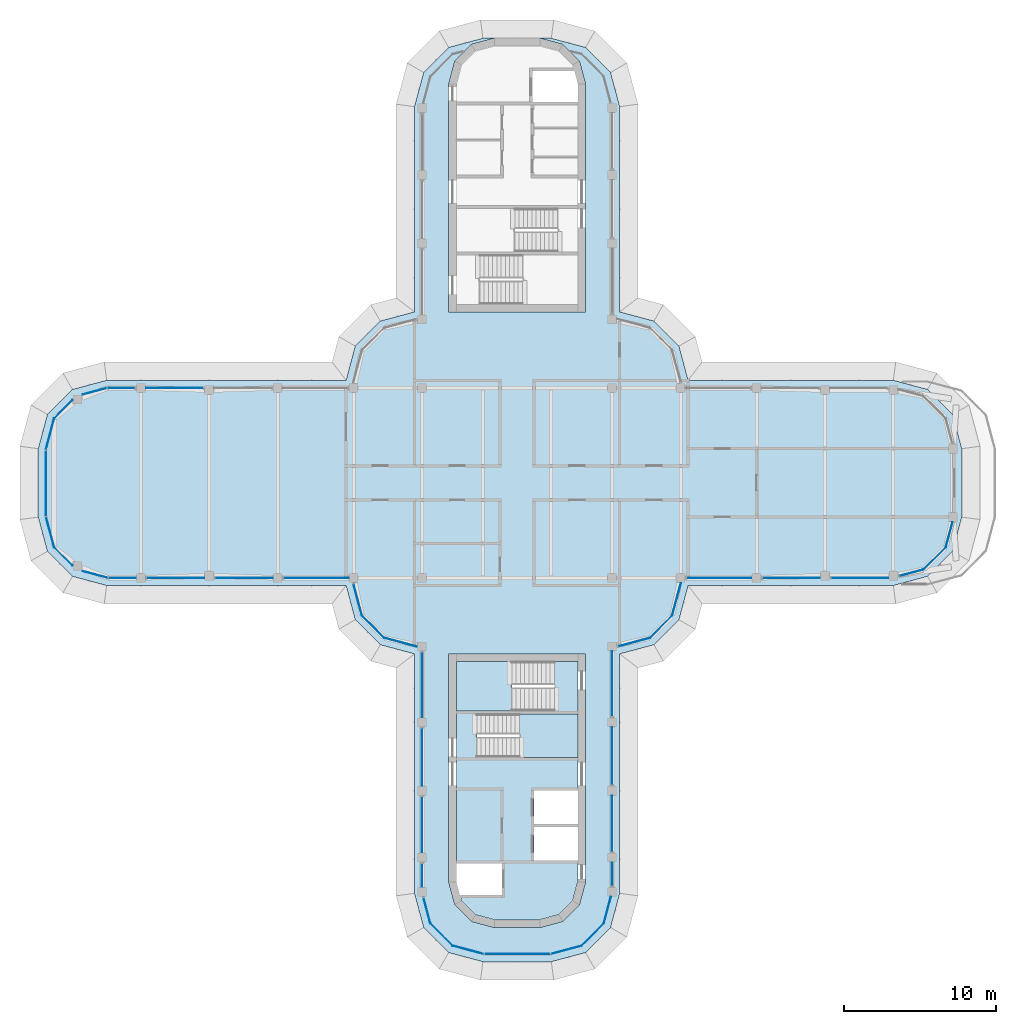
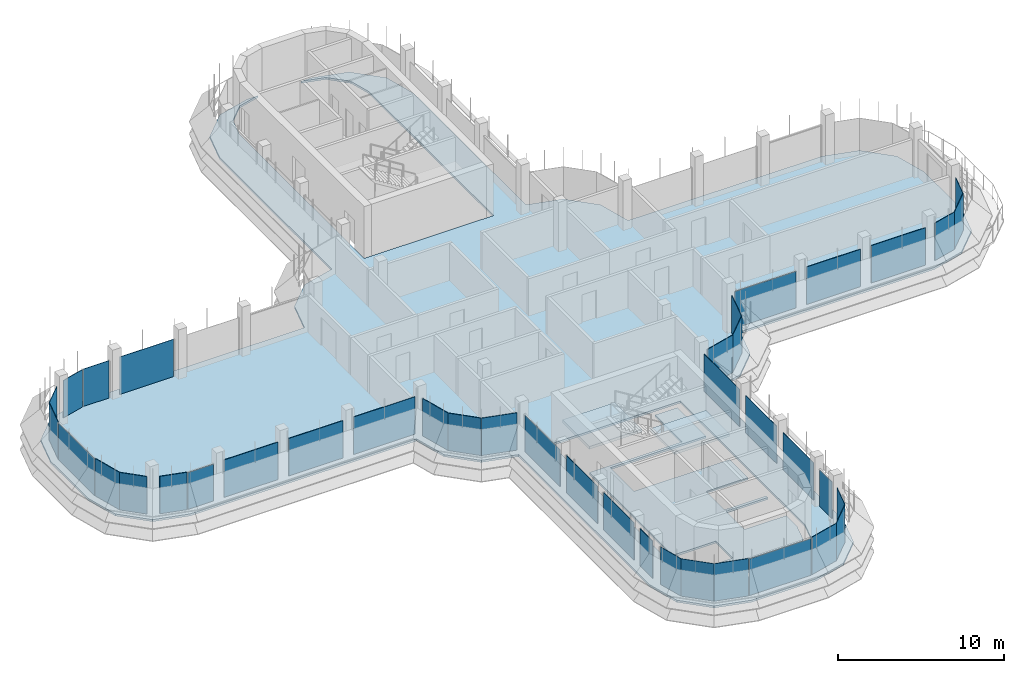
# One storey, part 11 of 20: 40 plates, 4 slabs, 30 elements without a shape of their own.
"""IFC4 building model written with IfcOpenShell, lengths in metres."""

import ifcopenshell
import ifcopenshell.guid

model = None  # the IFC model being written
_history = None  # IfcOwnerHistory: only IFC2X3 demands one
_inside = {}  # id of a spatial element -> (the spatial element, [elements in it])
_under = {}  # id of a project, library or spatial element -> (it, [spatial elements below it])
_declared = {}  # id of a project -> (the project, [libraries it declares])
_typed = {}  # id of a type object -> (the type object, [elements of that type])
_made_of = {}  # id of a material, layer set ... -> (it, [elements and type objects made of it])


def new_model(schema):
    """Start an empty IFC model of exactly this schema.

    Asked for "IFC4X3", IfcOpenShell would pick the latest addendum, in which some entities
    have other attributes; the version numbers below select the first issue.
    IFC2X3 requires an IfcOwnerHistory on every rooted entity: one is made here for all.
    """
    global model, _history
    if schema == "IFC4X3":
        model = ifcopenshell.file(schema_version=(4, 3, 0, 0))
    else:
        model = ifcopenshell.file(schema=schema)
    _inside.clear()
    _under.clear()
    _declared.clear()
    _typed.clear()
    _made_of.clear()
    _history = None
    if model.schema == "IFC2X3":
        org = make("IfcOrganization", Name="unknown")
        user = make(
            "IfcPersonAndOrganization",
            ThePerson=make("IfcPerson", FamilyName="unknown"),
            TheOrganization=org,
        )
        app = make(
            "IfcApplication",
            ApplicationDeveloper=org,
            Version="unknown",
            ApplicationFullName="unknown",
            ApplicationIdentifier="unknown",
        )
        _history = make(
            "IfcOwnerHistory",
            OwningUser=user,
            OwningApplication=app,
            ChangeAction="ADDED",
            CreationDate=0,
        )
    return model


def make(cls, **values):
    """One entity of the class cls with the attributes given. An attribute that is None is left unset."""
    return model.create_entity(
        cls, **{name: value for name, value in values.items() if value is not None}
    )


def rooted(cls, **values):
    """An entity with a GlobalId (a new one), such as an element, a storey or a relation."""
    return make(cls, GlobalId=ifcopenshell.guid.new(), OwnerHistory=_history, **values)


def si_unit(unit_type, name, prefix=None):
    """IfcSIUnit, for example si_unit("LENGTHUNIT", "METRE", prefix="MILLI")."""
    return make("IfcSIUnit", UnitType=unit_type, Prefix=prefix, Name=name)


def assignment(units):
    """IfcUnitAssignment: the units of a project."""
    return None if units is None else make("IfcUnitAssignment", Units=units)


def point(xyz):
    """IfcCartesianPoint."""
    return None if xyz is None else make("IfcCartesianPoint", Coordinates=xyz)


def direction(xyz):
    """IfcDirection."""
    return None if xyz is None else make("IfcDirection", DirectionRatios=xyz)


def frame(location, z_axis=None, x_axis=None):
    """IfcAxis2Placement3D, a coordinate frame: its origin and axes. An axis left out is left unset."""
    return make(
        "IfcAxis2Placement3D",
        Location=point(location),
        Axis=direction(z_axis),
        RefDirection=direction(x_axis),
    )


def origin():
    """The frame at (0, 0, 0) with its axes left unset."""
    return frame((0.0, 0.0, 0.0))


def place(relative_to, where):
    """IfcLocalPlacement: puts the frame where relative to a parent placement (None: the world)."""
    return make(
        "IfcLocalPlacement", PlacementRelTo=relative_to, RelativePlacement=where
    )


def context(
    kind, dimensions, precision=None, world=None, true_north=None, identifier=None
):
    """IfcGeometricRepresentationContext, for example the 3D "Model" context."""
    return make(
        "IfcGeometricRepresentationContext",
        ContextIdentifier=identifier,
        ContextType=kind,
        CoordinateSpaceDimension=dimensions,
        Precision=precision,
        WorldCoordinateSystem=world,
        TrueNorth=true_north,
    )


def subcontext(parent, identifier, kind, view, scale=None):
    """IfcGeometricRepresentationSubContext, for example "Body" below "Model"."""
    return make(
        "IfcGeometricRepresentationSubContext",
        ContextIdentifier=identifier,
        ContextType=kind,
        ParentContext=parent,
        TargetScale=scale,
        TargetView=view,
    )


def project(units=None, contexts=None):
    """IfcProject with its units and contexts."""
    return rooted(
        "IfcProject",
        Name="project",
        RepresentationContexts=contexts,
        UnitsInContext=assignment(units),
    )


def spatial(cls, under=None, at=None, **own):
    """A site, building, storey or space (cls), placed at a placement, below another one or the project."""
    s = rooted(cls, ObjectPlacement=at, **own)
    if under is not None:
        _under.setdefault(under.id(), (under, []))[1].append(s)
    return s


def polyline(points):
    """IfcPolyline through the points."""
    return make("IfcPolyline", Points=[point(p) for p in points])


def outline(outer, holes=None, kind="AREA"):
    """IfcArbitraryClosedProfileDef: a profile drawn as a closed curve; with holes, ...WithVoids."""
    if holes is None:
        return make("IfcArbitraryClosedProfileDef", ProfileType=kind, OuterCurve=outer)
    return make(
        "IfcArbitraryProfileDefWithVoids",
        ProfileType=kind,
        OuterCurve=outer,
        InnerCurves=holes,
    )


def extrude(swept, where, along, depth):
    """IfcExtrudedAreaSolid: the profile swept, set in the frame where, extruded along a direction by depth."""
    return make(
        "IfcExtrudedAreaSolid",
        SweptArea=swept,
        Position=where,
        ExtrudedDirection=direction(along),
        Depth=depth,
    )


def shape(context_of_items, identifier, shape_type, items):
    """IfcShapeRepresentation: the items that make up one representation, for example the "Body"."""
    return make(
        "IfcShapeRepresentation",
        ContextOfItems=context_of_items,
        RepresentationIdentifier=identifier,
        RepresentationType=shape_type,
        Items=items,
    )


def source(mapping_origin, context_of_items, identifier, shape_type, items):
    """IfcRepresentationMap: a shape defined once, which mapped items show again and again."""
    return make(
        "IfcRepresentationMap",
        MappingOrigin=mapping_origin,
        MappedRepresentation=shape(context_of_items, identifier, shape_type, items),
    )


def transform(
    local_origin,
    x_axis=None,
    y_axis=None,
    z_axis=None,
    scale=None,
    scale2=None,
    scale3=None,
    uniform=True,
):
    """IfcCartesianTransformationOperator3D, or its non-uniform kind. x_axis, y_axis, z_axis: its Axis1, 2, 3."""
    if uniform:
        return make(
            "IfcCartesianTransformationOperator3D",
            Axis1=direction(x_axis),
            Axis2=direction(y_axis),
            LocalOrigin=point(local_origin),
            Scale=scale,
            Axis3=direction(z_axis),
        )
    return make(
        "IfcCartesianTransformationOperator3DnonUniform",
        Axis1=direction(x_axis),
        Axis2=direction(y_axis),
        LocalOrigin=point(local_origin),
        Scale=scale,
        Axis3=direction(z_axis),
        Scale2=scale2,
        Scale3=scale3,
    )


def mapped(mapping_source, mapping_target):
    """IfcMappedItem: shows the shape of a source again, moved by a transform."""
    return make(
        "IfcMappedItem", MappingSource=mapping_source, MappingTarget=mapping_target
    )


def material(Name=None, Category=None):
    """IfcMaterial."""
    return make("IfcMaterial", Name=Name, Category=Category)


def layer(
    of_material, thickness, ventilated=None, Name=None, Category=None, Priority=None
):
    """IfcMaterialLayer: one layer of a wall or slab, of a material (None: an air gap)."""
    return make(
        "IfcMaterialLayer",
        Material=of_material,
        LayerThickness=thickness,
        IsVentilated=ventilated,
        Name=Name,
        Category=Category,
        Priority=Priority,
    )


def layer_set(layers, Name=None):
    """IfcMaterialLayerSet."""
    return make("IfcMaterialLayerSet", MaterialLayers=layers, LayerSetName=Name)


def made_of(thing, what):
    """Note that an element or type object is made of a material, layer set ...; save() writes the relation."""
    if what is not None:
        _made_of.setdefault(what.id(), (what, []))[1].append(thing)
    return thing


def type_object(cls, material=None, **own):
    """A type object (cls), such as IfcWallType, which elements share."""
    return made_of(rooted(cls, **own), material)


def element(
    cls,
    number,
    at=None,
    inside=None,
    cuts=None,
    type_object=None,
    material=None,
    context=None,
    identifier="Body",
    shape_type=None,
    held_by="IfcProductDefinitionShape",
    body=None,
    shapes=None,
    **own,
):
    """One element of the class cls, such as IfcWall. Its Tag is "e" and its number.

    at: its placement. inside: the storey or other place that contains it. cuts: it is an
    opening in that element (IfcRelVoidsElement). A single representation is given by context,
    identifier, shape_type and body (its items); several are given by shapes. held_by: the class
    of the entity that holds the representations. save() writes the other relations.
    """
    e = rooted(cls, Tag="e%d" % number, ObjectPlacement=at, **own)
    if body is not None:
        shapes = [shape(context, identifier, shape_type, body)]
    if shapes is not None:
        e.Representation = make(held_by, Representations=shapes)
    if inside is not None:
        _inside.setdefault(inside.id(), (inside, []))[1].append(e)
    if cuts is not None:
        rooted(
            "IfcRelVoidsElement", RelatingBuildingElement=cuts, RelatedOpeningElement=e
        )
    if type_object is not None:
        _typed.setdefault(type_object.id(), (type_object, []))[1].append(e)
    return made_of(e, material)


def aggregate(whole, parts):
    """IfcRelAggregates: a whole, such as a stair, and the parts it consists of."""
    return rooted("IfcRelAggregates", RelatingObject=whole, RelatedObjects=parts)


def save(model, path):
    """Write the relations noted so far, then the file.

    IfcRelAggregates (storeys below a building ...), IfcRelContainedInSpatialStructure (elements
    in a storey), IfcRelDefinesByType, IfcRelAssociatesMaterial and IfcRelDeclares: one each for
    every whole, place, type object, material and project.
    """
    for whole, parts in _under.values():
        aggregate(whole, parts)
    for where, things in _inside.values():
        rooted(
            "IfcRelContainedInSpatialStructure",
            RelatedElements=things,
            RelatingStructure=where,
        )
    for kind, things in _typed.values():
        rooted("IfcRelDefinesByType", RelatedObjects=things, RelatingType=kind)
    for what, things in _made_of.values():
        rooted("IfcRelAssociatesMaterial", RelatedObjects=things, RelatingMaterial=what)
    for by, libraries in _declared.values():
        rooted("IfcRelDeclares", RelatingContext=by, RelatedDefinitions=libraries)
    model.write(path)


model = new_model("IFC4")

# Units and contexts
model_context = context("Model", 3, precision=1e-05, world=origin(), true_north=direction((0.0, 1.0)))
body_context = subcontext(model_context, "Body", "Model", "MODEL_VIEW")
ifc_project = project(units=[si_unit("LENGTHUNIT", "METRE"), si_unit("AREAUNIT", "SQUARE_METRE"), si_unit("VOLUMEUNIT", "CUBIC_METRE"), si_unit("PLANEANGLEUNIT", "RADIAN"), si_unit("MASSUNIT", "GRAM", prefix="KILO")], contexts=[model_context])

# Site, building, storey
site_placement = place(None, origin())
site = spatial("IfcSite", under=ifc_project, at=site_placement, CompositionType="ELEMENT")
building_placement = place(site_placement, origin())
building = spatial("IfcBuilding", under=site, at=building_placement, Name="Zarbagh Exchange Tower", CompositionType="ELEMENT")
storey_placement = place(building_placement, frame((0.0, 0.0, 249.800048828125)))
storey = spatial("IfcBuildingStorey", under=building, at=storey_placement, Name="L61", CompositionType="ELEMENT", Elevation=249.800048828125)

# Slabs
ifc_material_1 = material(Name="Concrete C40/50", Category="concrete")
ifc_layer_1 = layer(ifc_material_1, 0.14990234375)
ifc_layer_set_1 = layer_set([ifc_layer_1], Name="Composite floor slab 150 C40/50")
slab_type_1 = type_object("IfcSlabType", Name="Composite floor slab 150 C40/50", PredefinedType="FLOOR", material=ifc_layer_set_1)
slab_1_placement = place(storey_placement, frame((0.0, 0.0, -0.150146484375)))
element("IfcSlab", 1, at=slab_1_placement, inside=storey, type_object=slab_type_1, Name="S5 composite floor slab", PredefinedType="FLOOR", context=body_context, shape_type="SweptSolid", body=[
    extrude(outline(polyline([(-2.25, -31.5), (-4.5, -30.897216796875), (-6.147216796875, -29.25), (-6.75, -27.0), (-6.75, -11.25), (-9.0, -10.647216796875), (-10.647216796875, -9.0), (-11.25, -6.75), (-27.0, -6.75), (-29.25, -6.147216796875), (-30.897216796875, -4.5), (-31.5, -2.25), (-31.5, 2.25), (-30.897216796875, 4.5), (-29.25, 6.147216796875), (-27.0, 6.75), (-11.25, 6.75), (-10.647216796875, 9.0), (-9.0, 10.647216796875), (-6.75, 11.25), (-6.75, 24.75), (-6.147216796875, 27.0), (-4.5, 28.647216796875), (-2.25, 29.25), (-1.5, 29.25), (-3.0, 28.84814453125), (-4.09814453125, 27.75), (-4.5, 26.25), (-4.5, 11.25), (4.5, 11.25), (4.5, 26.25), (4.09814453125, 27.75), (3.0, 28.84814453125), (1.5, 29.25), (2.25, 29.25), (4.5, 28.647216796875), (6.147216796875, 27.0), (6.75, 24.75), (6.75, 11.25), (9.0, 10.647216796875), (10.647216796875, 9.0), (11.25, 6.75), (24.75, 6.75), (27.0, 6.147216796875), (28.647216796875, 4.5), (29.25, 2.25), (29.25, -2.25), (28.647216796875, -4.5), (27.0, -6.147216796875), (24.75, -6.75), (11.25, -6.75), (10.647216796875, -9.0), (9.0, -10.647216796875), (6.75, -11.25), (6.75, -27.0), (6.147216796875, -29.25), (4.5, -30.897216796875), (2.25, -31.5), (-2.25, -31.5)]), holes=[polyline([(-1.5, -29.25), (1.5, -29.25), (3.0, -28.84814453125), (4.09814453125, -27.75), (4.5, -26.25), (4.5, -11.25), (-4.5, -11.25), (-4.5, -26.25), (-4.09814453125, -27.75), (-3.0, -28.84814453125), (-1.5, -29.25)])]), origin(), (0.0, 0.0, 1.0), 0.150146484375),
])
ifc_layer_2 = layer(ifc_material_1, 0.14990234375)
ifc_layer_set_2 = layer_set([ifc_layer_2], Name="Core floor slab 150 C40/50")
slab_type_2 = type_object("IfcSlabType", Name="Core floor slab 150 C40/50", PredefinedType="FLOOR", material=ifc_layer_set_2)
slab_2_placement = place(storey_placement, frame((0.0, 0.0, -0.150146484375)))
element("IfcSlab", 2, at=slab_2_placement, inside=storey, type_object=slab_type_2, Name="S17 core S", PredefinedType="FLOOR", context=body_context, shape_type="SweptSolid", body=[
    extrude(outline(polyline([(-2.7412109375, -28.39990234375), (-3.64990234375, -27.4912109375), (-3.857666015625, -26.715087890625), (-3.754638671875, -27.10009765625), (-1.0, -27.10009765625), (-1.0, -25.050048828125), (-4.0, -25.050048828125), (-4.0, -15.0), (2.449951171875, -15.0), (2.449951171875, -11.75), (4.0, -11.75), (4.0, -15.199951171875), (-2.64990234375, -15.199951171875), (-2.64990234375, -18.050048828125), (4.0, -18.050048828125), (4.0, -20.25), (1.10009765625, -20.25), (1.10009765625, -22.449951171875), (4.0, -22.449951171875), (4.0, -22.64990234375), (1.10009765625, -22.64990234375), (1.10009765625, -24.85009765625), (4.0, -24.85009765625), (4.0, -26.18408203125), (3.64990234375, -27.4912109375), (2.7412109375, -28.39990234375), (1.43408203125, -28.75), (-1.43408203125, -28.75), (-2.7412109375, -28.39990234375)])), origin(), (0.0, 0.0, 1.0), 0.150146484375),
])

# Stair, slab
stair_type = type_object("IfcStairType", Name="Exit stair two-flight half-turn", PredefinedType="HALF_TURN_STAIR", material=ifc_material_1)
stair_1_placement = place(storey_placement, origin())
stair_1 = element("IfcStair", 3, at=stair_1_placement, inside=storey, type_object=stair_type, Name="exit stair ST3", PredefinedType="HALF_TURN_STAIR")
ifc_layer_3 = layer(ifc_material_1, 0.199951171875)
ifc_layer_set_3 = layer_set([ifc_layer_3], Name="Stair landing 200 mm")
slab_type_3 = type_object("IfcSlabType", Name="Stair landing 200 mm", PredefinedType="LANDING", material=ifc_layer_set_3)
slab_3_placement = place(storey_placement, frame((0.0, 0.0, 1.699951171875)))
slab_3 = element("IfcSlab", 4, at=slab_3_placement, type_object=slab_type_3, Name="ST3 landing 1", PredefinedType="LANDING", context=body_context, shape_type="SweptSolid", body=[
    extrude(outline(polyline([(0.14990234375, -18.050048828125), (4.0, -18.050048828125), (4.0, -15.199951171875), (0.14990234375, -15.199951171875), (0.14990234375, -18.050048828125)])), origin(), (0.0, 0.0, 1.0), 0.199951171875),
])
aggregate(stair_1, [slab_3])

stair_2_placement = place(storey_placement, origin())
stair_2 = element("IfcStair", 5, at=stair_2_placement, inside=storey, type_object=stair_type, Name="exit stair ST4", PredefinedType="HALF_TURN_STAIR")
slab_4_placement = place(storey_placement, frame((0.0, 0.0, 1.699951171875)))
slab_4 = element("IfcSlab", 6, at=slab_4_placement, type_object=slab_type_3, Name="ST4 landing 1", PredefinedType="LANDING", context=body_context, shape_type="SweptSolid", body=[
    extrude(outline(polyline([(-0.35009765625, -11.75), (-4.0, -11.75), (-4.0, -15.0), (-0.35009765625, -15.0), (-0.35009765625, -11.75)])), origin(), (0.0, 0.0, 1.0), 0.199951171875),
])
aggregate(stair_2, [slab_4])

# Curtain wall, plate
ifc_material_2 = material(Name="Anodised aluminium frame and glazing", Category="aluminium")
curtain_wall_type = type_object("IfcCurtainWallType", Name="CWB Ribbon glazing, upper zones", PredefinedType="NOTDEFINED", material=ifc_material_2)
curtain_wall_1_placement = place(storey_placement, origin())
curtain_wall_1 = element("IfcCurtainWall", 7, at=curtain_wall_1_placement, inside=storey, type_object=curtain_wall_type, Name="CWB50 curtain wall", PredefinedType="NOTDEFINED")
ifc_material_3 = material(Name="Low-e double glazed unit, 6+12+6 mm")
ifc_layer_4 = layer(ifc_material_3, 0.031982421875)
ifc_layer_set_4 = layer_set([ifc_layer_4], Name="PAB Glazing panel, Low-e double glazed unit, 6+12+6 mm")
plate_type = type_object("IfcPlateType", Name="PAB Glazing panel, Low-e double glazed unit, 6+12+6 mm", PredefinedType="CURTAIN_PANEL", material=ifc_layer_set_4)
shared_shape_1 = source(origin(), body_context, "Body", "SweptSolid", [
    extrude(outline(polyline([(0.0, -0.01611328125), (2.061279296875, -0.01611328125), (2.061279296875, 0.01611328125), (0.0, 0.01611328125), (0.0, -0.01611328125)])), origin(), (0.0, 0.0, 1.0), 2.75),
])
placement = place(storey_placement, origin())
plate_1 = element("IfcPlate", 8, at=placement, type_object=plate_type, Name="CWB50 glazing panel 1.1", PredefinedType="CURTAIN_PANEL", context=body_context, shape_type="MappedRepresentation", body=[
    mapped(shared_shape_1, transform((4.2412109375, -30.44873046875, 0.0), x_axis=(0.707106781187, 0.707106781187, 0.0), y_axis=(-0.707106781187, 0.707106781187, 0.0), z_axis=(0.0, 0.0, 1.0))),
])
aggregate(curtain_wall_1, [plate_1])

curtain_wall_2_placement = place(storey_placement, origin())
curtain_wall_2 = element("IfcCurtainWall", 9, at=curtain_wall_2_placement, inside=storey, type_object=curtain_wall_type, Name="CWB06 curtain wall", PredefinedType="NOTDEFINED")
plate_2 = element("IfcPlate", 10, at=placement, type_object=plate_type, Name="CWB06 glazing panel 1.1", PredefinedType="CURTAIN_PANEL", context=body_context, shape_type="MappedRepresentation", body=[
    mapped(shared_shape_1, transform((8.7412109375, -10.19873046875, 0.0), x_axis=(0.707106781187, 0.707106781187, 0.0), y_axis=(-0.707106781187, 0.707106781187, 0.0), z_axis=(0.0, 0.0, 1.0))),
])
aggregate(curtain_wall_2, [plate_2])

curtain_wall_3_placement = place(storey_placement, origin())
curtain_wall_3 = element("IfcCurtainWall", 11, at=curtain_wall_3_placement, inside=storey, type_object=curtain_wall_type, Name="CWB77 curtain wall", PredefinedType="NOTDEFINED")
plate_3 = element("IfcPlate", 12, at=placement, type_object=plate_type, Name="CWB77 glazing panel 1.1", PredefinedType="CURTAIN_PANEL", context=body_context, shape_type="MappedRepresentation", body=[
    mapped(shared_shape_1, transform((26.7412109375, -5.69873046875, 0.0), x_axis=(0.707106781187, 0.707106781187, 0.0), y_axis=(-0.707106781187, 0.707106781187, 0.0), z_axis=(0.0, 0.0, 1.0))),
])
aggregate(curtain_wall_3, [plate_3])

curtain_wall_4_placement = place(storey_placement, origin())
curtain_wall_4 = element("IfcCurtainWall", 13, at=curtain_wall_4_placement, inside=storey, type_object=curtain_wall_type, Name="CWB42 curtain wall", PredefinedType="NOTDEFINED")
plate_4 = element("IfcPlate", 14, at=placement, type_object=plate_type, Name="CWB42 glazing panel 1.1", PredefinedType="CURTAIN_PANEL", context=body_context, shape_type="MappedRepresentation", body=[
    mapped(shared_shape_1, transform((-10.19873046875, -8.7412109375, 0.0), x_axis=(0.707106781187, -0.707106781187, 0.0), y_axis=(0.707106781187, 0.707106781187, 0.0), z_axis=(0.0, 0.0, 1.0))),
])
aggregate(curtain_wall_4, [plate_4])

curtain_wall_5_placement = place(storey_placement, origin())
curtain_wall_5 = element("IfcCurtainWall", 15, at=curtain_wall_5_placement, inside=storey, type_object=curtain_wall_type, Name="CWB55 curtain wall", PredefinedType="NOTDEFINED")
plate_5 = element("IfcPlate", 16, at=placement, type_object=plate_type, Name="CWB55 glazing panel 1.1", PredefinedType="CURTAIN_PANEL", context=body_context, shape_type="MappedRepresentation", body=[
    mapped(shared_shape_1, transform((-5.69873046875, -28.9912109375, 0.0), x_axis=(0.707106781187, -0.707106781187, 0.0), y_axis=(0.707106781187, 0.707106781187, 0.0), z_axis=(0.0, 0.0, 1.0))),
])
aggregate(curtain_wall_5, [plate_5])

curtain_wall_6_placement = place(storey_placement, origin())
curtain_wall_6 = element("IfcCurtainWall", 17, at=curtain_wall_6_placement, inside=storey, type_object=curtain_wall_type, Name="CWB61 curtain wall", PredefinedType="NOTDEFINED")
shared_shape_2 = source(origin(), body_context, "Body", "SweptSolid", [
    extrude(outline(polyline([(0.0, -0.01611328125), (2.129638671875, -0.01611328125), (2.129638671875, 0.01611328125), (0.0, 0.01611328125), (0.0, -0.01611328125)])), origin(), (0.0, 0.0, 1.0), 2.75),
])
plate_6 = element("IfcPlate", 18, at=placement, type_object=plate_type, Name="CWB61 glazing panel 1.1", PredefinedType="CURTAIN_PANEL", context=body_context, shape_type="MappedRepresentation", body=[
    mapped(shared_shape_2, transform((-30.44873046875, 4.2412109375, 0.0), x_axis=(-0.258824779902, -0.965924289636, 0.0), y_axis=(0.965924289636, -0.258824779902, 0.0), z_axis=(0.0, 0.0, 1.0))),
])
aggregate(curtain_wall_6, [plate_6])

curtain_wall_7_placement = place(storey_placement, origin())
curtain_wall_7 = element("IfcCurtainWall", 19, at=curtain_wall_7_placement, inside=storey, type_object=curtain_wall_type, Name="CWB56 curtain wall", PredefinedType="NOTDEFINED")
plate_7 = element("IfcPlate", 20, at=placement, type_object=plate_type, Name="CWB56 glazing panel 1.1", PredefinedType="CURTAIN_PANEL", context=body_context, shape_type="MappedRepresentation", body=[
    mapped(shared_shape_2, transform((-4.2412109375, -30.44873046875, 0.0), x_axis=(0.965924289636, -0.258824779902, 0.0), y_axis=(0.258824779902, 0.965924289636, 0.0), z_axis=(0.0, 0.0, 1.0))),
])
aggregate(curtain_wall_7, [plate_7])

curtain_wall_8_placement = place(storey_placement, origin())
curtain_wall_8 = element("IfcCurtainWall", 21, at=curtain_wall_8_placement, inside=storey, type_object=curtain_wall_type, Name="CWB65 curtain wall", PredefinedType="NOTDEFINED")
shared_shape_3 = source(origin(), body_context, "Body", "SweptSolid", [
    extrude(outline(polyline([(0.0, -0.01611328125), (1.7841796875, -0.01611328125), (1.7841796875, 0.01611328125), (0.0, 0.01611328125), (0.0, -0.01611328125)])), origin(), (0.0, 0.0, 1.0), 2.68994140625),
])
plate_8 = element("IfcPlate", 22, at=placement, type_object=plate_type, Name="CWB65 glazing panel 1.1", PredefinedType="CURTAIN_PANEL", context=body_context, shape_type="MappedRepresentation", body=[
    mapped(shared_shape_3, transform((-26.874267578125, -6.25, 0.0), x_axis=(1.0, 0.0, 0.0), y_axis=(0.0, 1.0, 0.0), z_axis=(0.0, 0.0, 1.0))),
])

curtain_wall_9_placement = place(storey_placement, origin())
curtain_wall_9 = element("IfcCurtainWall", 23, at=curtain_wall_9_placement, inside=storey, type_object=curtain_wall_type, Name="CWB66 curtain wall", PredefinedType="NOTDEFINED")
shared_shape_4 = source(origin(), body_context, "Body", "SweptSolid", [
    extrude(outline(polyline([(0.0, -0.01611328125), (4.308349609375, -0.01611328125), (4.308349609375, 0.01611328125), (0.0, 0.01611328125), (0.0, -0.01611328125)])), origin(), (0.0, 0.0, 1.0), 2.68994140625),
])
plate_9 = element("IfcPlate", 24, at=placement, type_object=plate_type, Name="CWB66 glazing panel 1.1", PredefinedType="CURTAIN_PANEL", context=body_context, shape_type="MappedRepresentation", body=[
    mapped(shared_shape_4, transform((-31.0, 2.124267578125, 0.0), x_axis=(0.0, -1.0, 0.0), y_axis=(1.0, 0.0, 0.0), z_axis=(0.0, 0.0, 1.0))),
])
aggregate(curtain_wall_9, [plate_9])

curtain_wall_10_placement = place(storey_placement, origin())
curtain_wall_10 = element("IfcCurtainWall", 25, at=curtain_wall_10_placement, inside=storey, type_object=curtain_wall_type, Name="CWB57 curtain wall", PredefinedType="NOTDEFINED")
plate_10 = element("IfcPlate", 26, at=placement, type_object=plate_type, Name="CWB57 glazing panel 1.1", PredefinedType="CURTAIN_PANEL", context=body_context, shape_type="MappedRepresentation", body=[
    mapped(shared_shape_4, transform((-2.124267578125, -31.0, 0.0), x_axis=(1.0, 0.0, 0.0), y_axis=(0.0, 1.0, 0.0), z_axis=(0.0, 0.0, 1.0))),
])
aggregate(curtain_wall_10, [plate_10])

curtain_wall_11_placement = place(storey_placement, origin())
curtain_wall_11 = element("IfcCurtainWall", 27, at=curtain_wall_11_placement, inside=storey, type_object=curtain_wall_type, Name="CWB49 curtain wall", PredefinedType="NOTDEFINED")
shared_shape_5 = source(origin(), body_context, "Body", "SweptSolid", [
    extrude(outline(polyline([(0.0, -0.01611328125), (2.069580078125, -0.01611328125), (2.069580078125, 0.01611328125), (0.0, 0.01611328125), (0.0, -0.01611328125)])), origin(), (0.0, 0.0, 1.0), 2.75),
])
plate_11 = element("IfcPlate", 28, at=placement, type_object=plate_type, Name="CWB49 glazing panel 1.1", PredefinedType="CURTAIN_PANEL", context=body_context, shape_type="MappedRepresentation", body=[
    mapped(shared_shape_5, transform((2.2421875, -30.984375, 0.0), x_axis=(0.965924289636, 0.258824779902, 0.0), y_axis=(-0.258824779902, 0.965924289636, 0.0), z_axis=(0.0, 0.0, 1.0))),
])
aggregate(curtain_wall_11, [plate_11])

curtain_wall_12_placement = place(storey_placement, origin())
curtain_wall_12 = element("IfcCurtainWall", 29, at=curtain_wall_12_placement, inside=storey, type_object=curtain_wall_type, Name="CWB62 curtain wall", PredefinedType="NOTDEFINED")
plate_12 = element("IfcPlate", 30, at=placement, type_object=plate_type, Name="CWB62 glazing panel 1.1", PredefinedType="CURTAIN_PANEL", context=body_context, shape_type="MappedRepresentation", body=[
    mapped(shared_shape_5, transform((-30.984375, -2.2421875, 0.0), x_axis=(0.258824779902, -0.965924289636, 0.0), y_axis=(0.965924289636, 0.258824779902, 0.0), z_axis=(0.0, 0.0, 1.0))),
])
aggregate(curtain_wall_12, [plate_12])

curtain_wall_13_placement = place(storey_placement, origin())
curtain_wall_13 = element("IfcCurtainWall", 31, at=curtain_wall_13_placement, inside=storey, type_object=curtain_wall_type, Name="CWB58 curtain wall", PredefinedType="NOTDEFINED")
shared_shape_6 = source(origin(), body_context, "Body", "SweptSolid", [
    extrude(outline(polyline([(0.0, -0.01611328125), (1.7841796875, -0.01611328125), (1.7841796875, 0.01611328125), (0.0, 0.01611328125), (0.0, -0.01611328125)])), origin(), (0.0, 0.0, 1.0), 2.75),
])
plate_13 = element("IfcPlate", 32, at=placement, type_object=plate_type, Name="CWB58 glazing panel 4.1", PredefinedType="CURTAIN_PANEL", context=body_context, shape_type="MappedRepresentation", body=[
    mapped(shared_shape_6, transform((-25.150146484375, 6.25, 0.0), x_axis=(-1.0, 0.0, 0.0), y_axis=(0.0, -1.0, 0.0), z_axis=(0.0, 0.0, 1.0))),
])

curtain_wall_14_placement = place(storey_placement, origin())
curtain_wall_14 = element("IfcCurtainWall", 33, at=curtain_wall_14_placement, inside=storey, type_object=curtain_wall_type, Name="CWB78 curtain wall", PredefinedType="NOTDEFINED")
shared_shape_7 = source(origin(), body_context, "Body", "SweptSolid", [
    extrude(outline(polyline([(0.0, -0.01611328125), (1.70947265625, -0.01611328125), (1.70947265625, 0.01611328125), (0.0, 0.01611328125), (0.0, -0.01611328125)])), origin(), (0.0, 0.0, 1.0), 2.75),
])
plate_14 = element("IfcPlate", 34, at=placement, type_object=plate_type, Name="CWB78 glazing panel 1.1", PredefinedType="CURTAIN_PANEL", context=body_context, shape_type="MappedRepresentation", body=[
    mapped(shared_shape_7, transform((28.19873046875, -4.2412109375, 0.0), x_axis=(0.258824779902, 0.965924289636, 0.0), y_axis=(-0.965924289636, 0.258824779902, 0.0), z_axis=(0.0, 0.0, 1.0))),
])
aggregate(curtain_wall_14, [plate_14])

curtain_wall_15_placement = place(storey_placement, origin())
curtain_wall_15 = element("IfcCurtainWall", 35, at=curtain_wall_15_placement, inside=storey, type_object=curtain_wall_type, Name="CWB76 curtain wall", PredefinedType="NOTDEFINED")
shared_shape_8 = source(origin(), body_context, "Body", "SweptSolid", [
    extrude(outline(polyline([(0.0, -0.01611328125), (1.6494140625, -0.01611328125), (1.6494140625, 0.01611328125), (0.0, 0.01611328125), (0.0, -0.01611328125)])), origin(), (0.0, 0.0, 1.0), 2.75),
])
plate_15 = element("IfcPlate", 36, at=placement, type_object=plate_type, Name="CWB76 glazing panel 1.1", PredefinedType="CURTAIN_PANEL", context=body_context, shape_type="MappedRepresentation", body=[
    mapped(shared_shape_8, transform((25.14794921875, -6.125732421875, 0.0), x_axis=(0.965924289636, 0.258824779902, 0.0), y_axis=(-0.258824779902, 0.965924289636, 0.0), z_axis=(0.0, 0.0, 1.0))),
])
aggregate(curtain_wall_15, [plate_15])

curtain_wall_16_placement = place(storey_placement, origin())
curtain_wall_16 = element("IfcCurtainWall", 37, at=curtain_wall_16_placement, inside=storey, type_object=curtain_wall_type, Name="CWB52 curtain wall", PredefinedType="NOTDEFINED")
shared_shape_9 = source(origin(), body_context, "Body", "SweptSolid", [
    extrude(outline(polyline([(0.0, -0.01611328125), (3.659912109375, -0.01611328125), (3.659912109375, 0.01611328125), (0.0, 0.01611328125), (0.0, -0.01611328125)])), origin(), (0.0, 0.0, 1.0), 2.75),
])
plate_16 = element("IfcPlate", 38, at=placement, type_object=plate_type, Name="CWB52 glazing panel 2.1", PredefinedType="CURTAIN_PANEL", context=body_context, shape_type="MappedRepresentation", body=[
    mapped(shared_shape_9, transform((6.25, -24.25, 0.0), x_axis=(0.0, 1.0, 0.0), y_axis=(-1.0, 0.0, 0.0), z_axis=(0.0, 0.0, 1.0))),
])

curtain_wall_17_placement = place(storey_placement, origin())
curtain_wall_17 = element("IfcCurtainWall", 39, at=curtain_wall_17_placement, inside=storey, type_object=curtain_wall_type, Name="CWB53 curtain wall", PredefinedType="NOTDEFINED")
plate_17 = element("IfcPlate", 40, at=placement, type_object=plate_type, Name="CWB53 glazing panel 3.1", PredefinedType="CURTAIN_PANEL", context=body_context, shape_type="MappedRepresentation", body=[
    mapped(shared_shape_9, transform((-6.25, -20.650146484375, 0.0), x_axis=(0.0, -1.0, 0.0), y_axis=(1.0, 0.0, 0.0), z_axis=(0.0, 0.0, 1.0))),
])

curtain_wall_18_placement = place(storey_placement, origin())
curtain_wall_18 = element("IfcCurtainWall", 41, at=curtain_wall_18_placement, inside=storey, type_object=curtain_wall_type, Name="CWB51 curtain wall", PredefinedType="NOTDEFINED")
shared_shape_10 = source(origin(), body_context, "Body", "SweptSolid", [
    extrude(outline(polyline([(0.0, -0.01611328125), (1.81298828125, -0.01611328125), (1.81298828125, 0.01611328125), (0.0, 0.01611328125), (0.0, -0.01611328125)])), origin(), (0.0, 0.0, 1.0), 2.75),
])
plate_18 = element("IfcPlate", 42, at=placement, type_object=plate_type, Name="CWB51 glazing panel 1.1", PredefinedType="CURTAIN_PANEL", context=body_context, shape_type="MappedRepresentation", body=[
    mapped(shared_shape_10, transform((5.69873046875, -28.9912109375, 0.0), x_axis=(0.258824779902, 0.965924289636, 0.0), y_axis=(-0.965924289636, 0.258824779902, 0.0), z_axis=(0.0, 0.0, 1.0))),
])
aggregate(curtain_wall_18, [plate_18])

# Plate
shared_shape_11 = source(origin(), body_context, "Body", "SweptSolid", [
    extrude(outline(polyline([(0.0, -0.01611328125), (1.510009765625, -0.01611328125), (1.510009765625, 0.01611328125), (0.0, 0.01611328125), (0.0, -0.01611328125)])), origin(), (0.0, 0.0, 1.0), 2.68994140625),
])
plate_19 = element("IfcPlate", 43, at=placement, type_object=plate_type, Name="CWB52 glazing panel 1.1", PredefinedType="CURTAIN_PANEL", context=body_context, shape_type="MappedRepresentation", body=[
    mapped(shared_shape_11, transform((6.25, -26.5, 0.0), x_axis=(0.0, 1.0, 0.0), y_axis=(-1.0, 0.0, 0.0), z_axis=(0.0, 0.0, 1.0))),
])

shared_shape_12 = source(origin(), body_context, "Body", "SweptSolid", [
    extrude(outline(polyline([(0.0, -0.01611328125), (3.760009765625, -0.01611328125), (3.760009765625, 0.01611328125), (0.0, 0.01611328125), (0.0, -0.01611328125)])), origin(), (0.0, 0.0, 1.0), 2.75),
])
plate_20 = element("IfcPlate", 44, at=placement, type_object=plate_type, Name="CWB52 glazing panel 3.1", PredefinedType="CURTAIN_PANEL", context=body_context, shape_type="MappedRepresentation", body=[
    mapped(shared_shape_12, transform((6.25, -19.849853515625, 0.0), x_axis=(0.0, 1.0, 0.0), y_axis=(-1.0, 0.0, 0.0), z_axis=(0.0, 0.0, 1.0))),
])

# Curtain wall, plates
curtain_wall_19_placement = place(storey_placement, origin())
curtain_wall_19 = element("IfcCurtainWall", 45, at=curtain_wall_19_placement, inside=storey, type_object=curtain_wall_type, Name="CWB75 curtain wall", PredefinedType="NOTDEFINED")
plate_21 = element("IfcPlate", 46, at=placement, type_object=plate_type, Name="CWB75 glazing panel 2.1", PredefinedType="CURTAIN_PANEL", context=body_context, shape_type="MappedRepresentation", body=[
    mapped(shared_shape_12, transform((16.150146484375, -6.25, 0.0), x_axis=(1.0, 0.0, 0.0), y_axis=(0.0, 1.0, 0.0), z_axis=(0.0, 0.0, 1.0))),
])
plate_22 = element("IfcPlate", 47, at=placement, type_object=plate_type, Name="CWB75 glazing panel 3.1", PredefinedType="CURTAIN_PANEL", context=body_context, shape_type="MappedRepresentation", body=[
    mapped(shared_shape_12, transform((20.650146484375, -6.25, 0.0), x_axis=(1.0, 0.0, 0.0), y_axis=(0.0, 1.0, 0.0), z_axis=(0.0, 0.0, 1.0))),
])

# Plate
plate_23 = element("IfcPlate", 48, at=placement, type_object=plate_type, Name="CWB58 glazing panel 3.1", PredefinedType="CURTAIN_PANEL", context=body_context, shape_type="MappedRepresentation", body=[
    mapped(shared_shape_12, transform((-20.650146484375, 6.25, 0.0), x_axis=(-1.0, 0.0, 0.0), y_axis=(0.0, -1.0, 0.0), z_axis=(0.0, 0.0, 1.0))),
])

aggregate(curtain_wall_13, [plate_23, plate_13])

plate_24 = element("IfcPlate", 49, at=placement, type_object=plate_type, Name="CWB65 glazing panel 2.1", PredefinedType="CURTAIN_PANEL", context=body_context, shape_type="MappedRepresentation", body=[
    mapped(shared_shape_12, transform((-24.349853515625, -6.25, 0.0), x_axis=(1.0, 0.0, 0.0), y_axis=(0.0, 1.0, 0.0), z_axis=(0.0, 0.0, 1.0))),
])

plate_25 = element("IfcPlate", 50, at=placement, type_object=plate_type, Name="CWB65 glazing panel 3.1", PredefinedType="CURTAIN_PANEL", context=body_context, shape_type="MappedRepresentation", body=[
    mapped(shared_shape_12, transform((-19.849853515625, -6.25, 0.0), x_axis=(1.0, 0.0, 0.0), y_axis=(0.0, 1.0, 0.0), z_axis=(0.0, 0.0, 1.0))),
])

plate_26 = element("IfcPlate", 51, at=placement, type_object=plate_type, Name="CWB53 glazing panel 2.1", PredefinedType="CURTAIN_PANEL", context=body_context, shape_type="MappedRepresentation", body=[
    mapped(shared_shape_12, transform((-6.25, -16.150146484375, 0.0), x_axis=(0.0, -1.0, 0.0), y_axis=(1.0, 0.0, 0.0), z_axis=(0.0, 0.0, 1.0))),
])

shared_shape_13 = source(origin(), body_context, "Body", "SweptSolid", [
    extrude(outline(polyline([(0.0, -0.01611328125), (4.260009765625, -0.01611328125), (4.260009765625, 0.01611328125), (0.0, 0.01611328125), (0.0, -0.01611328125)])), origin(), (0.0, 0.0, 1.0), 2.75),
])
plate_27 = element("IfcPlate", 52, at=placement, type_object=plate_type, Name="CWB52 glazing panel 4.1", PredefinedType="CURTAIN_PANEL", context=body_context, shape_type="MappedRepresentation", body=[
    mapped(shared_shape_13, transform((6.25, -15.349853515625, 0.0), x_axis=(0.0, 1.0, 0.0), y_axis=(-1.0, 0.0, 0.0), z_axis=(0.0, 0.0, 1.0))),
])

aggregate(curtain_wall_16, [plate_19, plate_16, plate_20, plate_27])

plate_28 = element("IfcPlate", 53, at=placement, type_object=plate_type, Name="CWB65 glazing panel 4.1", PredefinedType="CURTAIN_PANEL", context=body_context, shape_type="MappedRepresentation", body=[
    mapped(shared_shape_13, transform((-15.349853515625, -6.25, 0.0), x_axis=(1.0, 0.0, 0.0), y_axis=(0.0, 1.0, 0.0), z_axis=(0.0, 0.0, 1.0))),
])

aggregate(curtain_wall_8, [plate_8, plate_24, plate_25, plate_28])

# Curtain wall, plate
curtain_wall_20_placement = place(storey_placement, origin())
curtain_wall_20 = element("IfcCurtainWall", 54, at=curtain_wall_20_placement, inside=storey, type_object=curtain_wall_type, Name="CWB05 curtain wall", PredefinedType="NOTDEFINED")
shared_shape_14 = source(origin(), body_context, "Body", "SweptSolid", [
    extrude(outline(polyline([(0.0, -0.01611328125), (2.1669921875, -0.01611328125), (2.1669921875, 0.01611328125), (0.0, 0.01611328125), (0.0, -0.01611328125)])), origin(), (0.0, 0.0, 1.0), 2.75),
])
plate_29 = element("IfcPlate", 55, at=placement, type_object=plate_type, Name="CWB05 glazing panel 1.1", PredefinedType="CURTAIN_PANEL", context=body_context, shape_type="MappedRepresentation", body=[
    mapped(shared_shape_14, transform((6.64794921875, -10.759765625, 0.0), x_axis=(0.965924289636, 0.258824779902, 0.0), y_axis=(-0.258824779902, 0.965924289636, 0.0), z_axis=(0.0, 0.0, 1.0))),
])
aggregate(curtain_wall_20, [plate_29])

curtain_wall_21_placement = place(storey_placement, origin())
curtain_wall_21 = element("IfcCurtainWall", 56, at=curtain_wall_21_placement, inside=storey, type_object=curtain_wall_type, Name="CWB41 curtain wall", PredefinedType="NOTDEFINED")
plate_30 = element("IfcPlate", 57, at=placement, type_object=plate_type, Name="CWB41 glazing panel 1.1", PredefinedType="CURTAIN_PANEL", context=body_context, shape_type="MappedRepresentation", body=[
    mapped(shared_shape_14, transform((-10.759765625, -6.64794921875, 0.0), x_axis=(0.258824779902, -0.965924289636, 0.0), y_axis=(0.965924289636, 0.258824779902, 0.0), z_axis=(0.0, 0.0, 1.0))),
])
aggregate(curtain_wall_21, [plate_30])

curtain_wall_22_placement = place(storey_placement, origin())
curtain_wall_22 = element("IfcCurtainWall", 58, at=curtain_wall_22_placement, inside=storey, type_object=curtain_wall_type, Name="CWB07 curtain wall", PredefinedType="NOTDEFINED")
shared_shape_15 = source(origin(), body_context, "Body", "SweptSolid", [
    extrude(outline(polyline([(0.0, -0.01611328125), (2.22705078125, -0.01611328125), (2.22705078125, 0.01611328125), (0.0, 0.01611328125), (0.0, -0.01611328125)])), origin(), (0.0, 0.0, 1.0), 2.75),
])
plate_31 = element("IfcPlate", 59, at=placement, type_object=plate_type, Name="CWB07 glazing panel 1.1", PredefinedType="CURTAIN_PANEL", context=body_context, shape_type="MappedRepresentation", body=[
    mapped(shared_shape_15, transform((10.19873046875, -8.7412109375, 0.0), x_axis=(0.258824779902, 0.965924289636, 0.0), y_axis=(-0.965924289636, 0.258824779902, 0.0), z_axis=(0.0, 0.0, 1.0))),
])
aggregate(curtain_wall_22, [plate_31])

curtain_wall_23_placement = place(storey_placement, origin())
curtain_wall_23 = element("IfcCurtainWall", 60, at=curtain_wall_23_placement, inside=storey, type_object=curtain_wall_type, Name="CWB43 curtain wall", PredefinedType="NOTDEFINED")
plate_32 = element("IfcPlate", 61, at=placement, type_object=plate_type, Name="CWB43 glazing panel 1.1", PredefinedType="CURTAIN_PANEL", context=body_context, shape_type="MappedRepresentation", body=[
    mapped(shared_shape_15, transform((-8.7412109375, -10.19873046875, 0.0), x_axis=(0.965924289636, -0.258824779902, 0.0), y_axis=(0.258824779902, 0.965924289636, 0.0), z_axis=(0.0, 0.0, 1.0))),
])
aggregate(curtain_wall_23, [plate_32])

# Plate
shared_shape_16 = source(origin(), body_context, "Body", "SweptSolid", [
    extrude(outline(polyline([(0.0, -0.01611328125), (4.260009765625, -0.01611328125), (4.260009765625, 0.01611328125), (0.0, 0.01611328125), (0.0, -0.01611328125)])), origin(), (0.0, 0.0, 1.0), 2.68994140625),
])
plate_33 = element("IfcPlate", 62, at=placement, type_object=plate_type, Name="CWB75 glazing panel 1.1", PredefinedType="CURTAIN_PANEL", context=body_context, shape_type="MappedRepresentation", body=[
    mapped(shared_shape_16, transform((11.150146484375, -6.25, 0.0), x_axis=(1.0, 0.0, 0.0), y_axis=(0.0, 1.0, 0.0), z_axis=(0.0, 0.0, 1.0))),
])

aggregate(curtain_wall_19, [plate_33, plate_21, plate_22])

plate_34 = element("IfcPlate", 63, at=placement, type_object=plate_type, Name="CWB53 glazing panel 1.1", PredefinedType="CURTAIN_PANEL", context=body_context, shape_type="MappedRepresentation", body=[
    mapped(shared_shape_16, transform((-6.25, -11.150146484375, 0.0), x_axis=(0.0, -1.0, 0.0), y_axis=(1.0, 0.0, 0.0), z_axis=(0.0, 0.0, 1.0))),
])

# Curtain wall, plate
curtain_wall_24_placement = place(storey_placement, origin())
curtain_wall_24 = element("IfcCurtainWall", 64, at=curtain_wall_24_placement, inside=storey, type_object=curtain_wall_type, Name="CWB54 curtain wall", PredefinedType="NOTDEFINED")
shared_shape_17 = source(origin(), body_context, "Body", "SweptSolid", [
    extrude(outline(polyline([(0.0, -0.01611328125), (1.7529296875, -0.01611328125), (1.7529296875, 0.01611328125), (0.0, 0.01611328125), (0.0, -0.01611328125)])), origin(), (0.0, 0.0, 1.0), 2.75),
])
plate_35 = element("IfcPlate", 65, at=placement, type_object=plate_type, Name="CWB54 glazing panel 1.1", PredefinedType="CURTAIN_PANEL", context=body_context, shape_type="MappedRepresentation", body=[
    mapped(shared_shape_17, transform((-6.152587890625, -27.2978515625, 0.0), x_axis=(0.258824779902, -0.965924289636, 0.0), y_axis=(0.965924289636, 0.258824779902, 0.0), z_axis=(0.0, 0.0, 1.0))),
])
aggregate(curtain_wall_24, [plate_35])

curtain_wall_25_placement = place(storey_placement, origin())
curtain_wall_25 = element("IfcCurtainWall", 66, at=curtain_wall_25_placement, inside=storey, type_object=curtain_wall_type, Name="CWB59 curtain wall", PredefinedType="NOTDEFINED")
shared_shape_18 = source(origin(), body_context, "Body", "SweptSolid", [
    extrude(outline(polyline([(0.0, -0.01611328125), (1.631591796875, -0.01611328125), (1.631591796875, 0.01611328125), (0.0, 0.01611328125), (0.0, -0.01611328125)])), origin(), (0.0, 0.0, 1.0), 2.75),
])
plate_36 = element("IfcPlate", 67, at=placement, type_object=plate_type, Name="CWB59 glazing panel 1.1", PredefinedType="CURTAIN_PANEL", context=body_context, shape_type="MappedRepresentation", body=[
    mapped(shared_shape_18, transform((-26.9921875, 6.234375, 0.0), x_axis=(-0.965924289636, -0.258824779902, 0.0), y_axis=(0.258824779902, -0.965924289636, 0.0), z_axis=(0.0, 0.0, 1.0))),
])
aggregate(curtain_wall_25, [plate_36])

curtain_wall_26_placement = place(storey_placement, origin())
curtain_wall_26 = element("IfcCurtainWall", 68, at=curtain_wall_26_placement, inside=storey, type_object=curtain_wall_type, Name="CWB60 curtain wall", PredefinedType="NOTDEFINED")
shared_shape_19 = source(origin(), body_context, "Body", "SweptSolid", [
    extrude(outline(polyline([(0.0, -0.01611328125), (1.6982421875, -0.01611328125), (1.6982421875, 0.01611328125), (0.0, 0.01611328125), (0.0, -0.01611328125)])), origin(), (0.0, 0.0, 1.0), 2.75),
])
plate_37 = element("IfcPlate", 69, at=placement, type_object=plate_type, Name="CWB60 glazing panel 1.1", PredefinedType="CURTAIN_PANEL", context=body_context, shape_type="MappedRepresentation", body=[
    mapped(shared_shape_19, transform((-29.248046875, 5.44189453125, 0.0), x_axis=(-0.707106781187, -0.707106781187, 0.0), y_axis=(0.707106781187, -0.707106781187, 0.0), z_axis=(0.0, 0.0, 1.0))),
])
aggregate(curtain_wall_26, [plate_37])

curtain_wall_27_placement = place(storey_placement, origin())
curtain_wall_27 = element("IfcCurtainWall", 70, at=curtain_wall_27_placement, inside=storey, type_object=curtain_wall_type, Name="CWB63 curtain wall", PredefinedType="NOTDEFINED")
plate_38 = element("IfcPlate", 71, at=placement, type_object=plate_type, Name="CWB63 glazing panel 1.1", PredefinedType="CURTAIN_PANEL", context=body_context, shape_type="MappedRepresentation", body=[
    mapped(shared_shape_19, transform((-30.44873046875, -4.2412109375, 0.0), x_axis=(0.707106781187, -0.707106781187, 0.0), y_axis=(0.707106781187, 0.707106781187, 0.0), z_axis=(0.0, 0.0, 1.0))),
])
aggregate(curtain_wall_27, [plate_38])

curtain_wall_28_placement = place(storey_placement, origin())
curtain_wall_28 = element("IfcCurtainWall", 72, at=curtain_wall_28_placement, inside=storey, type_object=curtain_wall_type, Name="CWB64 curtain wall", PredefinedType="NOTDEFINED")
shared_shape_20 = source(origin(), body_context, "Body", "SweptSolid", [
    extrude(outline(polyline([(0.0, -0.01611328125), (1.69140625, -0.01611328125), (1.69140625, 0.01611328125), (0.0, 0.01611328125), (0.0, -0.01611328125)])), origin(), (0.0, 0.0, 1.0), 2.75),
])
plate_39 = element("IfcPlate", 73, at=placement, type_object=plate_type, Name="CWB64 glazing panel 1.1", PredefinedType="CURTAIN_PANEL", context=body_context, shape_type="MappedRepresentation", body=[
    mapped(shared_shape_20, transform((-28.568115234375, -5.812255859375, 0.0), x_axis=(0.965924289636, -0.258824779902, 0.0), y_axis=(0.258824779902, 0.965924289636, 0.0), z_axis=(0.0, 0.0, 1.0))),
])
aggregate(curtain_wall_28, [plate_39])

# Plate
shared_shape_21 = source(origin(), body_context, "Body", "SweptSolid", [
    extrude(outline(polyline([(0.0, -0.01611328125), (1.510009765625, -0.01611328125), (1.510009765625, 0.01611328125), (0.0, 0.01611328125), (0.0, -0.01611328125)])), origin(), (0.0, 0.0, 1.0), 2.75),
])
plate_40 = element("IfcPlate", 74, at=placement, type_object=plate_type, Name="CWB53 glazing panel 4.1", PredefinedType="CURTAIN_PANEL", context=body_context, shape_type="MappedRepresentation", body=[
    mapped(shared_shape_21, transform((-6.25, -25.050048828125, 0.0), x_axis=(0.0, -1.0, 0.0), y_axis=(1.0, 0.0, 0.0), z_axis=(0.0, 0.0, 1.0))),
])

aggregate(curtain_wall_17, [plate_34, plate_26, plate_17, plate_40])

save(model, "model.ifc")
